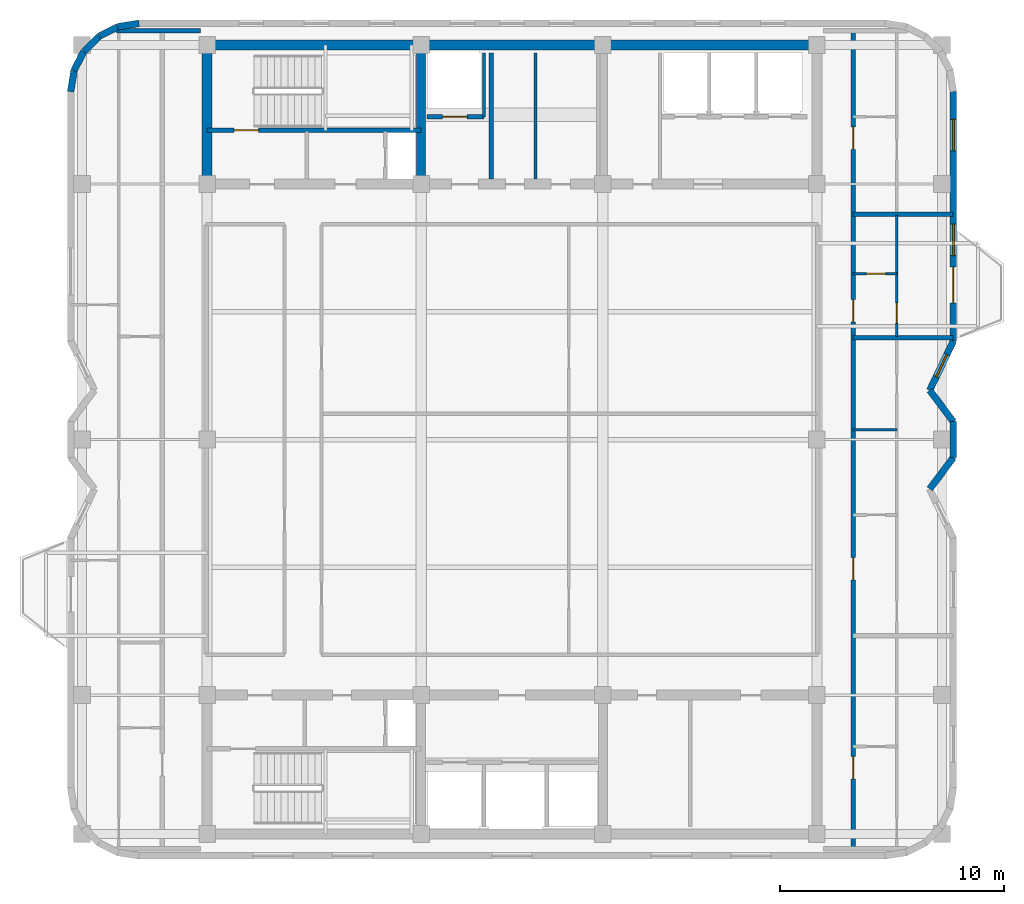
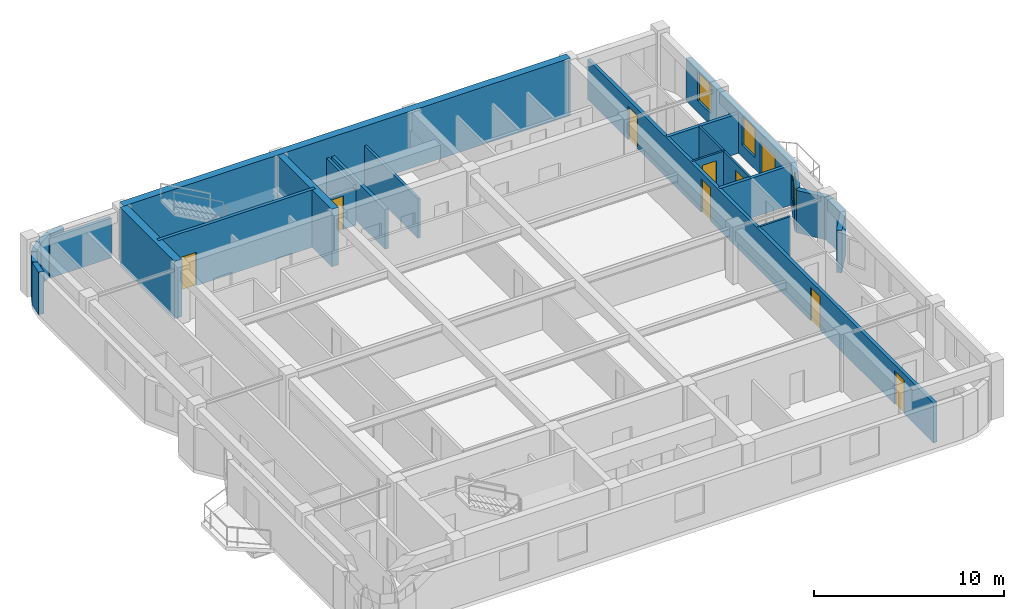
# One storey, part 5 of 8: 25 walls, 9 doors, 3 windows, 12 openings.
"""IFC4 building model written with IfcOpenShell, lengths in metres."""

from ifc_helpers import new_model, si_unit, direction, frame, frame_2d, origin, place, context, subcontext, project, spatial, rectangle, extrude, material, layer, layer_set, type_object, element, fill, save


model = new_model("IFC4")

# Units and contexts
model_context = context("Model", 3, precision=1e-05, world=origin(), true_north=direction((0.0, 1.0)))
body_context = subcontext(model_context, "Body", "Model", "MODEL_VIEW")
ifc_project = project(units=[si_unit("LENGTHUNIT", "METRE"), si_unit("AREAUNIT", "SQUARE_METRE"), si_unit("VOLUMEUNIT", "CUBIC_METRE"), si_unit("PLANEANGLEUNIT", "RADIAN"), si_unit("MASSUNIT", "GRAM", prefix="KILO")], contexts=[model_context])

# Site, building, storey
site_placement = place(None, origin())
site = spatial("IfcSite", under=ifc_project, at=site_placement, CompositionType="ELEMENT")
building_placement = place(site_placement, origin())
building = spatial("IfcBuilding", under=site, at=building_placement, Name="Svetorya Sky Lyceum", CompositionType="ELEMENT")
storey_placement = place(building_placement, frame((0.0, 0.0, 278.699951171875)))
storey = spatial("IfcBuildingStorey", under=building, at=storey_placement, Name="L70", CompositionType="ELEMENT", Elevation=278.699951171875)

# Walls
ifc_material_1 = material(Name="Concrete C40/50", Category="concrete")
ifc_layer_1 = layer(ifc_material_1, 0.39990234375)
ifc_layer_set_1 = layer_set([ifc_layer_1], Name="Concrete C40/50")
wall_type_1 = type_object("IfcWallType", Name="WL-CORE-400", PredefinedType="SHEAR", material=ifc_layer_set_1)
wall_1_placement = place(storey_placement, frame((35.14990234375, 39.824951171875, 0.0), z_axis=(0.0, 0.0, 1.0), x_axis=(0.0, 1.0, 0.0)))
element("IfcWall", 1, at=wall_1_placement, inside=storey, type_object=wall_type_1, Name="L70 NC Internal Shear Web WEB1", PredefinedType="SHEAR", context=body_context, shape_type="SweptSolid", body=[
    extrude(rectangle(XDim=5.75, YDim=0.39990234375, at=frame_2d((2.875, 0.0))), origin(), (0.0, 0.0, 1.0), 3.699951171875),
])
ifc_material_2 = material(Name="Concrete C50/60", Category="concrete")
ifc_layer_2 = layer(ifc_material_2, 0.449951171875)
ifc_layer_set_2 = layer_set([ifc_layer_2], Name="Concrete C50/60")
wall_type_2 = type_object("IfcWallType", Name="WL-CORE-450", PredefinedType="SHEAR", material=ifc_layer_set_2)
wall_2_placement = place(storey_placement, frame((25.60009765625, 45.800048828125, 0.0), z_axis=(0.0, 0.0, 1.0), x_axis=(1.0, 0.0, 0.0)))
element("IfcWall", 2, at=wall_2_placement, inside=storey, type_object=wall_type_2, Name="L70 NC Outer Core Shear Wall", PredefinedType="SHEAR", context=body_context, shape_type="SweptSolid", body=[
    extrude(rectangle(XDim=27.199951171875, YDim=0.449951171875, at=frame_2d((13.60009765625, 0.0))), origin(), (0.0, 0.0, 1.0), 3.699951171875),
])
wall_3_placement = place(storey_placement, frame((25.60009765625, 39.824951171875, 0.0), z_axis=(0.0, 0.0, 1.0), x_axis=(0.0, 1.0, 0.0)))
element("IfcWall", 3, at=wall_3_placement, inside=storey, type_object=wall_type_2, Name="L70 NC West Core Shear Wall", PredefinedType="SHEAR", context=body_context, shape_type="SweptSolid", body=[
    extrude(rectangle(XDim=5.75, YDim=0.449951171875, at=frame_2d((2.875, 0.0))), origin(), (0.0, 0.0, 1.0), 3.699951171875),
])
ifc_material_3 = material(Name="Putilovo limestone rainscreen on autoclaved cellular masonry", Category="masonry")
ifc_layer_3 = layer(ifc_material_3, 0.300048828125)
ifc_layer_set_3 = layer_set([ifc_layer_3], Name="Putilovo limestone rainscreen on autoclaved cellular masonry")
wall_type_3 = type_object("IfcWallType", Name="WL-EXT-300", PredefinedType="SOLIDWALL", material=ifc_layer_set_3)
wall_4_placement = place(storey_placement, frame((57.840087890625, 26.0, 0.0), z_axis=(0.0, 0.0, 1.0), x_axis=(0.599955351225, 0.800033484634, 0.0)))
element("IfcWall", 4, at=wall_4_placement, inside=storey, type_object=wall_type_3, Name="L70 Limestone Exterior Wall 14M", PredefinedType="SOLIDWALL", context=body_context, shape_type="SweptSolid", body=[
    extrude(rectangle(XDim=1.749755859375, YDim=0.300048828125, at=frame_2d((0.875, 0.0))), origin(), (0.0, 0.0, 1.0), 2.72998046875),
])
wall_5_placement = place(storey_placement, frame((58.889892578125, 27.39990234375, 0.0), z_axis=(0.0, 0.0, 1.0), x_axis=(0.0, 1.0, 0.0)))
element("IfcWall", 5, at=wall_5_placement, inside=storey, type_object=wall_type_3, Name="L70 Limestone Exterior Wall 15M", PredefinedType="SOLIDWALL", context=body_context, shape_type="SweptSolid", body=[
    extrude(rectangle(XDim=1.60009765625, YDim=0.300048828125, at=frame_2d((0.800048828125, 0.0))), origin(), (0.0, 0.0, 1.0), 2.72998046875),
])
wall_6_placement = place(storey_placement, frame((58.889892578125, 29.0, 0.0), z_axis=(0.0, 0.0, 1.0), x_axis=(-0.599955351225, 0.800033484634, 0.0)))
element("IfcWall", 6, at=wall_6_placement, inside=storey, type_object=wall_type_3, Name="L70 Limestone Exterior Wall 16M", PredefinedType="SOLIDWALL", context=body_context, shape_type="SweptSolid", body=[
    extrude(rectangle(XDim=1.749755859375, YDim=0.300048828125, at=frame_2d((0.875, 0.0))), origin(), (0.0, 0.0, 1.0), 2.72998046875),
])

# Wall, opening, window
wall_7_placement = place(storey_placement, frame((57.840087890625, 30.39990234375, 0.0), z_axis=(0.0, 0.0, 1.0), x_axis=(0.430633186234, 0.902527040544, 0.0)))
wall_7 = element("IfcWall", 7, at=wall_7_placement, inside=storey, type_object=wall_type_3, Name="L70 Limestone Exterior Wall 17M", PredefinedType="SOLIDWALL", context=body_context, shape_type="SweptSolid", body=[
    extrude(rectangle(XDim=2.437744140625, YDim=0.300048828125, at=frame_2d((1.21875, 0.0))), origin(), (0.0, 0.0, 1.0), 2.72998046875),
])
opening_1_placement = place(wall_7_placement, frame((0.6689453125, 0.0, 0.919921875)))
opening_1 = element("IfcOpeningElement", 8, at=opening_1_placement, cuts=wall_7, Name="Opening W-R3", PredefinedType="OPENING", context=body_context, shape_type="SweptSolid", body=[
    extrude(rectangle(XDim=1.10009765625, YDim=1.64990234375, at=frame_2d((0.550048828125, 0.824951171875))), frame((0.0, 0.159912109375, 0.0), z_axis=(0.0, -1.0, 0.0), x_axis=(1.0, 0.0, 0.0)), (0.0, 0.0, 1.0), 0.320068359375),
])
ifc_material_4 = material(Name="Thermally broken aluminium frame with triple low-E glazing", Category="aluminium")
window_type_1 = type_object("IfcWindowType", Name="WN-RES-110", PartitioningType="SINGLE_PANEL", PredefinedType="WINDOW", material=ifc_material_4)
window_1_placement = place(opening_1_placement, origin())
window_1 = element("IfcWindow", 9, at=window_1_placement, inside=storey, type_object=window_type_1, Name="L70 Facade Window W-R3.17M.1", OverallHeight=1.64990234375, OverallWidth=1.10009765625, PartitioningType="SINGLE_PANEL", PredefinedType="WINDOW", context=body_context, shape_type="SweptSolid", body=[
    extrude(rectangle(XDim=1.10009765625, YDim=1.64990234375, at=frame_2d((0.550048828125, 0.824951171875))), frame((0.0, 0.030029296875, 0.0), z_axis=(0.0, -1.0, 0.0), x_axis=(1.0, 0.0, 0.0)), (0.0, 0.0, 1.0), 0.06005859375),
])
fill(opening_1, window_1)

# Wall, openings, door, windows
wall_8_placement = place(storey_placement, frame((58.889892578125, 32.60009765625, 0.0), z_axis=(0.0, 0.0, 1.0), x_axis=(0.0, 1.0, 0.0)))
wall_8 = element("IfcWall", 10, at=wall_8_placement, inside=storey, type_object=wall_type_3, Name="L70 Limestone Exterior Wall 18M", PredefinedType="SOLIDWALL", context=body_context, shape_type="SweptSolid", body=[
    extrude(rectangle(XDim=11.119873046875, YDim=0.300048828125, at=frame_2d((5.56005859375, 0.0))), origin(), (0.0, 0.0, 1.0), 2.72998046875),
])
opening_2_placement = place(wall_8_placement, frame((1.699951171875, 0.0, 0.0)))
opening_2 = element("IfcOpeningElement", 11, at=opening_2_placement, cuts=wall_8, Name="Opening D-BL1", PredefinedType="OPENING", context=body_context, shape_type="SweptSolid", body=[
    extrude(rectangle(XDim=1.60009765625, YDim=2.10009765625, at=frame_2d((0.800048828125, 1.050048828125))), frame((0.0, 0.159912109375, 0.0), z_axis=(0.0, -1.0, 0.0), x_axis=(1.0, 0.0, 0.0)), (0.0, 0.0, 1.0), 0.320068359375),
])
opening_3_placement = place(wall_8_placement, frame((3.81005859375, 0.0, 0.760009765625)))
opening_3 = element("IfcOpeningElement", 12, at=opening_3_placement, cuts=wall_8, Name="Opening W-R2", PredefinedType="OPENING", context=body_context, shape_type="SweptSolid", body=[
    extrude(rectangle(XDim=1.39990234375, YDim=1.85009765625, at=frame_2d((0.699951171875, 0.925048828125))), frame((0.0, 0.159912109375, 0.0), z_axis=(0.0, -1.0, 0.0), x_axis=(1.0, 0.0, 0.0)), (0.0, 0.0, 1.0), 0.320068359375),
])
opening_4_placement = place(wall_8_placement, frame((8.4833984375, 0.0, 0.760009765625)))
opening_4 = element("IfcOpeningElement", 13, at=opening_4_placement, cuts=wall_8, Name="Opening W-R2", PredefinedType="OPENING", context=body_context, shape_type="SweptSolid", body=[
    extrude(rectangle(XDim=1.39990234375, YDim=1.85009765625, at=frame_2d((0.699951171875, 0.925048828125))), frame((0.0, 0.159912109375, 0.0), z_axis=(0.0, -1.0, 0.0), x_axis=(1.0, 0.0, 0.0)), (0.0, 0.0, 1.0), 0.320068359375),
])
ifc_material_5 = material(Name="Insulated glazed aluminium balcony door", Category="aluminium")
door_type_1 = type_object("IfcDoorType", Name="DR-BAL-1600", OperationType="DOUBLE_DOOR_SINGLE_SWING", PredefinedType="DOOR", material=ifc_material_5)
door_1_placement = place(opening_2_placement, origin())
door_1 = element("IfcDoor", 14, at=door_1_placement, inside=storey, type_object=door_type_1, Name="L70 Balcony BAL-E1 Door", OperationType="DOUBLE_DOOR_SINGLE_SWING", OverallHeight=2.10009765625, OverallWidth=1.60009765625, PredefinedType="DOOR", context=body_context, shape_type="SweptSolid", body=[
    extrude(rectangle(XDim=1.60009765625, YDim=2.10009765625, at=frame_2d((0.800048828125, 1.050048828125))), frame((0.0, 0.02490234375, 0.0), z_axis=(0.0, -1.0, 0.0), x_axis=(1.0, 0.0, 0.0)), (0.0, 0.0, 1.0), 0.050048828125),
])
fill(opening_2, door_1)
window_type_2 = type_object("IfcWindowType", Name="WN-RES-140", PartitioningType="SINGLE_PANEL", PredefinedType="WINDOW", material=ifc_material_4)
window_2_placement = place(opening_3_placement, origin())
window_2 = element("IfcWindow", 15, at=window_2_placement, inside=storey, type_object=window_type_2, Name="L70 Facade Window W-R2.18M.1", OverallHeight=1.85009765625, OverallWidth=1.39990234375, PartitioningType="SINGLE_PANEL", PredefinedType="WINDOW", context=body_context, shape_type="SweptSolid", body=[
    extrude(rectangle(XDim=1.39990234375, YDim=1.85009765625, at=frame_2d((0.699951171875, 0.925048828125))), frame((0.0, 0.030029296875, 0.0), z_axis=(0.0, -1.0, 0.0), x_axis=(1.0, 0.0, 0.0)), (0.0, 0.0, 1.0), 0.06005859375),
])
fill(opening_3, window_2)
window_3_placement = place(opening_4_placement, origin())
window_3 = element("IfcWindow", 16, at=window_3_placement, inside=storey, type_object=window_type_2, Name="L70 Facade Window W-R2.18M.2", OverallHeight=1.85009765625, OverallWidth=1.39990234375, PartitioningType="SINGLE_PANEL", PredefinedType="WINDOW", context=body_context, shape_type="SweptSolid", body=[
    extrude(rectangle(XDim=1.39990234375, YDim=1.85009765625, at=frame_2d((0.699951171875, 0.925048828125))), frame((0.0, 0.030029296875, 0.0), z_axis=(0.0, -1.0, 0.0), x_axis=(1.0, 0.0, 0.0)), (0.0, 0.0, 1.0), 0.06005859375),
])
fill(opening_4, window_3)

# Walls
wall_9_placement = place(storey_placement, frame((22.56005859375, 46.77001953125, 0.0), z_axis=(0.0, 0.0, 1.0), x_axis=(-0.987669453596, -0.156553666304, 0.0)))
element("IfcWall", 17, at=wall_9_placement, inside=storey, type_object=wall_type_3, Name="L70 Limestone Exterior Wall 25M", PredefinedType="SOLIDWALL", context=body_context, shape_type="SweptSolid", body=[
    extrude(rectangle(XDim=0.954345703125, YDim=0.300048828125, at=frame_2d((0.47705078125, 0.0))), origin(), (0.0, 0.0, 1.0), 2.72998046875),
])
wall_10_placement = place(storey_placement, frame((21.617431640625, 46.62060546875, 0.0), z_axis=(0.0, 0.0, 1.0), x_axis=(-0.891023873617, -0.45395644796, 0.0)))
element("IfcWall", 18, at=wall_10_placement, inside=storey, type_object=wall_type_3, Name="L70 Limestone Exterior Wall 26M", PredefinedType="SOLIDWALL", context=body_context, shape_type="SweptSolid", body=[
    extrude(rectangle(XDim=0.9541015625, YDim=0.300048828125, at=frame_2d((0.47705078125, 0.0))), origin(), (0.0, 0.0, 1.0), 2.72998046875),
])
wall_11_placement = place(storey_placement, frame((20.767333984375, 46.1875, 0.0), z_axis=(0.0, 0.0, 1.0), x_axis=(-0.707106781187, -0.707106781187, 0.0)))
element("IfcWall", 19, at=wall_11_placement, inside=storey, type_object=wall_type_3, Name="L70 Limestone Exterior Wall 27M", PredefinedType="SOLIDWALL", context=body_context, shape_type="SweptSolid", body=[
    extrude(rectangle(XDim=0.954345703125, YDim=0.300048828125, at=frame_2d((0.47705078125, 0.0))), origin(), (0.0, 0.0, 1.0), 2.72998046875),
])
wall_12_placement = place(storey_placement, frame((20.092529296875, 45.5126953125, 0.0), z_axis=(0.0, 0.0, 1.0), x_axis=(-0.454159573051, -0.890920356825, 0.0)))
element("IfcWall", 20, at=wall_12_placement, inside=storey, type_object=wall_type_3, Name="L70 Limestone Exterior Wall 28M", PredefinedType="SOLIDWALL", context=body_context, shape_type="SweptSolid", body=[
    extrude(rectangle(XDim=0.9541015625, YDim=0.300048828125, at=frame_2d((0.47705078125, 0.0))), origin(), (0.0, 0.0, 1.0), 2.72998046875),
])
wall_13_placement = place(storey_placement, frame((19.6591796875, 44.66259765625, 0.0), z_axis=(0.0, 0.0, 1.0), x_axis=(-0.156304114255, -0.987708977314, 0.0)))
element("IfcWall", 21, at=wall_13_placement, inside=storey, type_object=wall_type_3, Name="L70 Limestone Exterior Wall 29M", PredefinedType="SOLIDWALL", context=body_context, shape_type="SweptSolid", body=[
    extrude(rectangle(XDim=0.954345703125, YDim=0.300048828125, at=frame_2d((0.47705078125, 0.0))), origin(), (0.0, 0.0, 1.0), 2.72998046875),
])
ifc_material_6 = material(Name="Twin-stud galvanized framing with double fireboard", Category="gypsum")
ifc_layer_4 = layer(ifc_material_6, 0.1201171875)
ifc_layer_set_4 = layer_set([ifc_layer_4], Name="Twin-stud galvanized framing with double fireboard")
wall_type_4 = type_object("IfcWallType", Name="WL-PART-120", PredefinedType="PARTITIONING", material=ifc_layer_set_4)
wall_14_placement = place(storey_placement, frame((54.419921875, 28.639892578125, 0.0), z_axis=(0.0, 0.0, 1.0), x_axis=(1.0, 0.0, 0.0)))
element("IfcWall", 22, at=wall_14_placement, inside=storey, type_object=wall_type_4, Name="L70 Interior Partition E2-WH2", PredefinedType="PARTITIONING", context=body_context, shape_type="SweptSolid", body=[
    extrude(rectangle(XDim=1.9501953125, YDim=0.1201171875, at=frame_2d((0.97509765625, 0.0))), origin(), (0.0, 0.0, 1.0), 2.56005859375),
])

# Wall, opening, door
wall_15_placement = place(storey_placement, frame((54.419921875, 35.60009765625, 0.0), z_axis=(0.0, 0.0, 1.0), x_axis=(1.0, 0.0, 0.0)))
wall_15 = element("IfcWall", 23, at=wall_15_placement, inside=storey, type_object=wall_type_4, Name="L70 Interior Partition E3-WH1", PredefinedType="PARTITIONING", context=body_context, shape_type="SweptSolid", body=[
    extrude(rectangle(XDim=1.9501953125, YDim=0.1201171875, at=frame_2d((0.97509765625, 0.0))), origin(), (0.0, 0.0, 1.0), 2.56005859375),
])
opening_5_placement = place(wall_15_placement, frame((0.60009765625, 0.0, 0.0)))
opening_5 = element("IfcOpeningElement", 24, at=opening_5_placement, cuts=wall_15, Name="Opening D-BT1", PredefinedType="OPENING", context=body_context, shape_type="SweptSolid", body=[
    extrude(rectangle(XDim=0.85009765625, YDim=2.10009765625, at=frame_2d((0.425048828125, 1.050048828125))), frame((0.0, 0.070068359375, 0.0), z_axis=(0.0, -1.0, 0.0), x_axis=(1.0, 0.0, 0.0)), (0.0, 0.0, 1.0), 0.14013671875),
])
ifc_material_7 = material(Name="Moisture-resistant laminate bathroom door")
door_type_2 = type_object("IfcDoorType", Name="DR-WET-850", OperationType="SINGLE_SWING_LEFT", PredefinedType="DOOR", material=ifc_material_7)
door_2_placement = place(opening_5_placement, origin())
door_2 = element("IfcDoor", 25, at=door_2_placement, inside=storey, type_object=door_type_2, Name="Apartment E3 Bathroom Door", OperationType="SINGLE_SWING_RIGHT", OverallHeight=2.10009765625, OverallWidth=0.85009765625, PredefinedType="DOOR", context=body_context, shape_type="SweptSolid", body=[
    extrude(rectangle(XDim=0.85009765625, YDim=2.10009765625, at=frame_2d((0.425048828125, 1.050048828125))), frame((0.0, 0.02490234375, 0.0), z_axis=(0.0, -1.0, 0.0), x_axis=(1.0, 0.0, 0.0)), (0.0, 0.0, 1.0), 0.050048828125),
])
fill(opening_5, door_2)

wall_16_placement = place(storey_placement, frame((56.3701171875, 32.7900390625, 0.0), z_axis=(0.0, 0.0, 1.0), x_axis=(0.0, 1.0, 0.0)))
wall_16 = element("IfcWall", 26, at=wall_16_placement, inside=storey, type_object=wall_type_4, Name="L70 Interior Partition E3-WV", PredefinedType="PARTITIONING", context=body_context, shape_type="SweptSolid", body=[
    extrude(rectangle(XDim=5.419921875, YDim=0.1201171875, at=frame_2d((2.7099609375, 0.0))), origin(), (0.0, 0.0, 1.0), 2.56005859375),
])
opening_6_placement = place(wall_16_placement, frame((0.610107421875, 0.0, 0.0)))
opening_6 = element("IfcOpeningElement", 27, at=opening_6_placement, cuts=wall_16, Name="Opening D-RM1", PredefinedType="OPENING", context=body_context, shape_type="SweptSolid", body=[
    extrude(rectangle(XDim=0.89990234375, YDim=2.10009765625, at=frame_2d((0.449951171875, 1.050048828125))), frame((0.0, 0.070068359375, 0.0), z_axis=(0.0, -1.0, 0.0), x_axis=(1.0, 0.0, 0.0)), (0.0, 0.0, 1.0), 0.14013671875),
])
ifc_material_8 = material(Name="Lacquered birch veneer internal door")
door_type_3 = type_object("IfcDoorType", Name="DR-INT-900", OperationType="SINGLE_SWING_LEFT", PredefinedType="DOOR", material=ifc_material_8)
door_3_placement = place(opening_6_placement, origin())
door_3 = element("IfcDoor", 28, at=door_3_placement, inside=storey, type_object=door_type_3, Name="Apartment E3 Living Door", OperationType="SINGLE_SWING_LEFT", OverallHeight=2.10009765625, OverallWidth=0.89990234375, PredefinedType="DOOR", context=body_context, shape_type="SweptSolid", body=[
    extrude(rectangle(XDim=0.89990234375, YDim=2.10009765625, at=frame_2d((0.449951171875, 1.050048828125))), frame((0.0, 0.02490234375, 0.0), z_axis=(0.0, -1.0, 0.0), x_axis=(1.0, 0.0, 0.0)), (0.0, 0.0, 1.0), 0.050048828125),
])
fill(opening_6, door_3)

# Walls
ifc_material_9 = material(Name="Autoclaved cellular masonry blockwork with acoustic render", Category="masonry")
ifc_layer_5 = layer(ifc_material_9, 0.14990234375)
ifc_layer_set_5 = layer_set([ifc_layer_5], Name="Autoclaved cellular masonry blockwork with acoustic render")
wall_type_5 = type_object("IfcWallType", Name="WL-PART-150", PredefinedType="PARTITIONING", material=ifc_layer_set_5)
wall_17_placement = place(storey_placement, frame((37.949951171875, 42.60009765625, 0.0), z_axis=(0.0, 0.0, 1.0), x_axis=(0.0, 1.0, 0.0)))
element("IfcWall", 29, at=wall_17_placement, inside=storey, type_object=wall_type_5, Name="L70 Interior Partition NC-FL1SIDE", PredefinedType="PARTITIONING", context=body_context, shape_type="SweptSolid", body=[
    extrude(rectangle(XDim=2.849853515625, YDim=0.14990234375, at=frame_2d((1.4248046875, 0.0))), origin(), (0.0, 0.0, 1.0), 2.56005859375),
])
wall_18_placement = place(storey_placement, frame((40.25, 39.820068359375, 0.0), z_axis=(0.0, 0.0, 1.0), x_axis=(0.0, 1.0, 0.0)))
element("IfcWall", 30, at=wall_18_placement, inside=storey, type_object=wall_type_5, Name="L70 Interior Partition NC-FPM-V2", PredefinedType="PARTITIONING", context=body_context, shape_type="SweptSolid", body=[
    extrude(rectangle(XDim=5.6298828125, YDim=0.14990234375, at=frame_2d((2.81494140625, 0.0))), origin(), (0.0, 0.0, 1.0), 2.56005859375),
])

# Wall, opening, door
ifc_material_10 = material(Name="Autoclaved cellular masonry blockwork with gypsum plaster", Category="masonry")
ifc_layer_6 = layer(ifc_material_10, 0.199951171875)
ifc_layer_set_6 = layer_set([ifc_layer_6], Name="Autoclaved cellular masonry blockwork with gypsum plaster")
wall_type_6 = type_object("IfcWallType", Name="WL-PART-200", PredefinedType="PARTITIONING", material=ifc_layer_set_6)
wall_19_placement = place(storey_placement, frame((37.949951171875, 42.60009765625, 0.0), z_axis=(0.0, 0.0, 1.0), x_axis=(-1.0, 0.0, 0.0)))
wall_19 = element("IfcWall", 31, at=wall_19_placement, inside=storey, type_object=wall_type_6, Name="L70 Interior Partition NC-FL1W", PredefinedType="PARTITIONING", context=body_context, shape_type="SweptSolid", body=[
    extrude(rectangle(XDim=2.550048828125, YDim=0.199951171875, at=frame_2d((1.27490234375, 0.0))), origin(), (0.0, 0.0, 1.0), 2.330078125),
])
opening_7_placement = place(wall_19_placement, frame((0.75, 0.0, 0.0)))
opening_7 = element("IfcOpeningElement", 32, at=opening_7_placement, cuts=wall_19, Name="Opening LD-FL", PredefinedType="OPENING", context=body_context, shape_type="SweptSolid", body=[
    extrude(rectangle(XDim=1.10009765625, YDim=2.14990234375, at=frame_2d((0.550048828125, 1.074951171875))), frame((0.0, 0.10986328125, 0.0), z_axis=(0.0, -1.0, 0.0), x_axis=(1.0, 0.0, 0.0)), (0.0, 0.0, 1.0), 0.219970703125),
])
ifc_material_11 = material(Name="Fire-rated stainless AISI 304 firefighting lift landing door")
door_type_4 = type_object("IfcDoorType", Name="DR-LIFT-1100", OperationType="SLIDING_TO_LEFT", PredefinedType="DOOR", material=ifc_material_11)
door_4_placement = place(opening_7_placement, origin())
door_4 = element("IfcDoor", 33, at=door_4_placement, inside=storey, type_object=door_type_4, Name="L70 Firefighting Lift FL1 Landing Door", OperationType="SLIDING_TO_LEFT", OverallHeight=2.14990234375, OverallWidth=1.10009765625, PredefinedType="DOOR", context=body_context, shape_type="SweptSolid", body=[
    extrude(rectangle(XDim=1.10009765625, YDim=2.14990234375, at=frame_2d((0.550048828125, 1.074951171875))), frame((0.0, 0.02490234375, 0.0), z_axis=(0.0, -1.0, 0.0), x_axis=(1.0, 0.0, 0.0)), (0.0, 0.0, 1.0), 0.050048828125),
])
fill(opening_7, door_4)

# Walls
wall_20_placement = place(storey_placement, frame((38.280029296875, 39.820068359375, 0.0), z_axis=(0.0, 0.0, 1.0), x_axis=(0.0, 1.0, 0.0)))
element("IfcWall", 34, at=wall_20_placement, inside=storey, type_object=wall_type_6, Name="L70 Interior Partition NC-FFLDIV", PredefinedType="PARTITIONING", context=body_context, shape_type="SweptSolid", body=[
    extrude(rectangle(XDim=5.6298828125, YDim=0.199951171875, at=frame_2d((2.81494140625, 0.0))), origin(), (0.0, 0.0, 1.0), 2.56005859375),
])
wall_21_placement = place(storey_placement, frame((21.5458984375, 46.449951171875, 0.0), z_axis=(0.0, 0.0, 1.0), x_axis=(1.0, 0.0, 0.0)))
element("IfcWall", 35, at=wall_21_placement, inside=storey, type_object=wall_type_6, Name="L70 Interior Partition W-CAP-N", PredefinedType="PARTITIONING", context=body_context, shape_type="SweptSolid", body=[
    extrude(rectangle(XDim=3.754150390625, YDim=0.199951171875, at=frame_2d((1.876953125, 0.0))), origin(), (0.0, 0.0, 1.0), 2.56005859375),
])
for number, where, z_axis, x_axis, name in (
    (36, (54.419921875, 32.75, 0.0), (0.0, 0.0, 1.0), (1.0, 0.0, 0.0), "L70 Interior Partition E-PARTY-2"),
    (37, (54.419921875, 38.25, 0.0), (0.0, 0.0, 1.0), (1.0, 0.0, 0.0), "L70 Interior Partition E-PARTY-3"),
):
    element("IfcWall", number, at=place(storey_placement, frame(where, z_axis=z_axis, x_axis=x_axis)), inside=storey, type_object=wall_type_6, Name=name, PredefinedType="PARTITIONING", context=body_context, shape_type="SweptSolid", body=[
        extrude(rectangle(XDim=4.4501953125, YDim=0.199951171875, at=frame_2d((2.22509765625, 0.0))), origin(), (0.0, 0.0, 1.0), 2.56005859375),
    ])

# Wall, openings, doors
wall_22_placement = place(storey_placement, frame((54.419921875, 9.949951171875, 0.0), z_axis=(0.0, 0.0, 1.0), x_axis=(0.0, 1.0, 0.0)))
wall_22 = element("IfcWall", 38, at=wall_22_placement, inside=storey, type_object=wall_type_6, Name="L70 Interior Partition E-CORRW", PredefinedType="PARTITIONING", context=body_context, shape_type="SweptSolid", body=[
    extrude(rectangle(XDim=36.5, YDim=0.199951171875, at=frame_2d((18.25, 0.0))), origin(), (0.0, 0.0, 1.0), 2.56005859375),
])
opening_8_placement = place(wall_22_placement, frame((3.110107421875, 0.0, 0.0)))
opening_8 = element("IfcOpeningElement", 39, at=opening_8_placement, cuts=wall_22, Name="Opening D-APT1", PredefinedType="OPENING", context=body_context, shape_type="SweptSolid", body=[
    extrude(rectangle(XDim=1.0, YDim=2.14990234375, at=frame_2d((0.5, 1.074951171875))), frame((0.0, 0.10986328125, 0.0), z_axis=(0.0, -1.0, 0.0), x_axis=(1.0, 0.0, 0.0)), (0.0, 0.0, 1.0), 0.219970703125),
])
opening_9_placement = place(wall_22_placement, frame((11.989990234375, 0.0, 0.0)))
opening_9 = element("IfcOpeningElement", 40, at=opening_9_placement, cuts=wall_22, Name="Opening D-APT1", PredefinedType="OPENING", context=body_context, shape_type="SweptSolid", body=[
    extrude(rectangle(XDim=1.0, YDim=2.14990234375, at=frame_2d((0.5, 1.074951171875))), frame((0.0, 0.10986328125, 0.0), z_axis=(0.0, -1.0, 0.0), x_axis=(1.0, 0.0, 0.0)), (0.0, 0.0, 1.0), 0.219970703125),
])
opening_10_placement = place(wall_22_placement, frame((23.5, 0.0, 0.0)))
opening_10 = element("IfcOpeningElement", 41, at=opening_10_placement, cuts=wall_22, Name="Opening D-APT1", PredefinedType="OPENING", context=body_context, shape_type="SweptSolid", body=[
    extrude(rectangle(XDim=1.0, YDim=2.14990234375, at=frame_2d((0.5, 1.074951171875))), frame((0.0, 0.10986328125, 0.0), z_axis=(0.0, -1.0, 0.0), x_axis=(1.0, 0.0, 0.0)), (0.0, 0.0, 1.0), 0.219970703125),
])
opening_11_placement = place(wall_22_placement, frame((31.199951171875, 0.0, 0.0)))
opening_11 = element("IfcOpeningElement", 42, at=opening_11_placement, cuts=wall_22, Name="Opening D-APT1", PredefinedType="OPENING", context=body_context, shape_type="SweptSolid", body=[
    extrude(rectangle(XDim=1.0, YDim=2.14990234375, at=frame_2d((0.5, 1.074951171875))), frame((0.0, 0.10986328125, 0.0), z_axis=(0.0, -1.0, 0.0), x_axis=(1.0, 0.0, 0.0)), (0.0, 0.0, 1.0), 0.219970703125),
])
ifc_material_12 = material(Name="Insulated oak-veneered apartment entrance door")
door_type_5 = type_object("IfcDoorType", Name="DR-APT-1000", OperationType="SINGLE_SWING_LEFT", PredefinedType="DOOR", material=ifc_material_12)
door_5_placement = place(opening_8_placement, origin())
door_5 = element("IfcDoor", 43, at=door_5_placement, inside=storey, type_object=door_type_5, Name="L70 Apartment E1 Entrance Door", OperationType="SINGLE_SWING_RIGHT", OverallHeight=2.14990234375, OverallWidth=1.0, PredefinedType="DOOR", context=body_context, shape_type="SweptSolid", body=[
    extrude(rectangle(XDim=1.0, YDim=2.14990234375, at=frame_2d((0.5, 1.074951171875))), frame((0.0, 0.02490234375, 0.0), z_axis=(0.0, -1.0, 0.0), x_axis=(1.0, 0.0, 0.0)), (0.0, 0.0, 1.0), 0.050048828125),
])
fill(opening_8, door_5)
door_6_placement = place(opening_9_placement, origin())
door_6 = element("IfcDoor", 44, at=door_6_placement, inside=storey, type_object=door_type_5, Name="L70 Apartment E2 Entrance Door", OperationType="SINGLE_SWING_LEFT", OverallHeight=2.14990234375, OverallWidth=1.0, PredefinedType="DOOR", context=body_context, shape_type="SweptSolid", body=[
    extrude(rectangle(XDim=1.0, YDim=2.14990234375, at=frame_2d((0.5, 1.074951171875))), frame((0.0, 0.02490234375, 0.0), z_axis=(0.0, -1.0, 0.0), x_axis=(1.0, 0.0, 0.0)), (0.0, 0.0, 1.0), 0.050048828125),
])
fill(opening_9, door_6)
door_7_placement = place(opening_10_placement, origin())
door_7 = element("IfcDoor", 45, at=door_7_placement, inside=storey, type_object=door_type_5, Name="L70 Apartment E3 Entrance Door", OperationType="SINGLE_SWING_RIGHT", OverallHeight=2.14990234375, OverallWidth=1.0, PredefinedType="DOOR", context=body_context, shape_type="SweptSolid", body=[
    extrude(rectangle(XDim=1.0, YDim=2.14990234375, at=frame_2d((0.5, 1.074951171875))), frame((0.0, 0.02490234375, 0.0), z_axis=(0.0, -1.0, 0.0), x_axis=(1.0, 0.0, 0.0)), (0.0, 0.0, 1.0), 0.050048828125),
])
fill(opening_10, door_7)
door_8_placement = place(opening_11_placement, origin())
door_8 = element("IfcDoor", 46, at=door_8_placement, inside=storey, type_object=door_type_5, Name="L70 Apartment E4 Entrance Door", OperationType="SINGLE_SWING_LEFT", OverallHeight=2.14990234375, OverallWidth=1.0, PredefinedType="DOOR", context=body_context, shape_type="SweptSolid", body=[
    extrude(rectangle(XDim=1.0, YDim=2.14990234375, at=frame_2d((0.5, 1.074951171875))), frame((0.0, 0.02490234375, 0.0), z_axis=(0.0, -1.0, 0.0), x_axis=(1.0, 0.0, 0.0)), (0.0, 0.0, 1.0), 0.050048828125),
])
fill(opening_11, door_8)

# Wall, opening, door
ifc_layer_7 = layer(ifc_material_2, 0.199951171875)
ifc_layer_set_7 = layer_set([ifc_layer_7], Name="Concrete C50/60")
wall_type_7 = type_object("IfcWallType", Name="WL-SHW-200", PredefinedType="SHEAR", material=ifc_layer_set_7)
wall_23_placement = place(storey_placement, frame((35.14990234375, 42.0, 0.0), z_axis=(0.0, 0.0, 1.0), x_axis=(-1.0, 0.0, 0.0)))
wall_23 = element("IfcWall", 47, at=wall_23_placement, inside=storey, type_object=wall_type_7, Name="L70 Structural Stair Shaft Wall NC-STW", PredefinedType="SHEAR", context=body_context, shape_type="SweptSolid", body=[
    extrude(rectangle(XDim=9.5498046875, YDim=0.199951171875, at=frame_2d((4.77490234375, 0.0))), origin(), (0.0, 0.0, 1.0), 3.699951171875),
])
opening_12_placement = place(wall_23_placement, frame((7.25, 0.0, 0.0)))
opening_12 = element("IfcOpeningElement", 48, at=opening_12_placement, cuts=wall_23, Name="Opening D-ST1", PredefinedType="OPENING", context=body_context, shape_type="SweptSolid", body=[
    extrude(rectangle(XDim=1.10009765625, YDim=2.14990234375, at=frame_2d((0.550048828125, 1.074951171875))), frame((0.0, 0.10986328125, 0.0), z_axis=(0.0, -1.0, 0.0), x_axis=(1.0, 0.0, 0.0)), (0.0, 0.0, 1.0), 0.219970703125),
])
ifc_material_13 = material(Name="Powder-coated insulated galvanized stair fire door")
door_type_6 = type_object("IfcDoorType", Name="DR-FIRE-1100", OperationType="SINGLE_SWING_LEFT", PredefinedType="DOOR", material=ifc_material_13)
door_9_placement = place(opening_12_placement, origin())
door_9 = element("IfcDoor", 49, at=door_9_placement, inside=storey, type_object=door_type_6, Name="L70 Stair ST-N Vestibule Fire Door", OperationType="SINGLE_SWING_RIGHT", OverallHeight=2.14990234375, OverallWidth=1.10009765625, PredefinedType="DOOR", context=body_context, shape_type="SweptSolid", body=[
    extrude(rectangle(XDim=1.10009765625, YDim=2.14990234375, at=frame_2d((0.550048828125, 1.074951171875))), frame((0.0, 0.02490234375, 0.0), z_axis=(0.0, -1.0, 0.0), x_axis=(1.0, 0.0, 0.0)), (0.0, 0.0, 1.0), 0.050048828125),
])
fill(opening_12, door_9)

save(model, "model.ifc")
